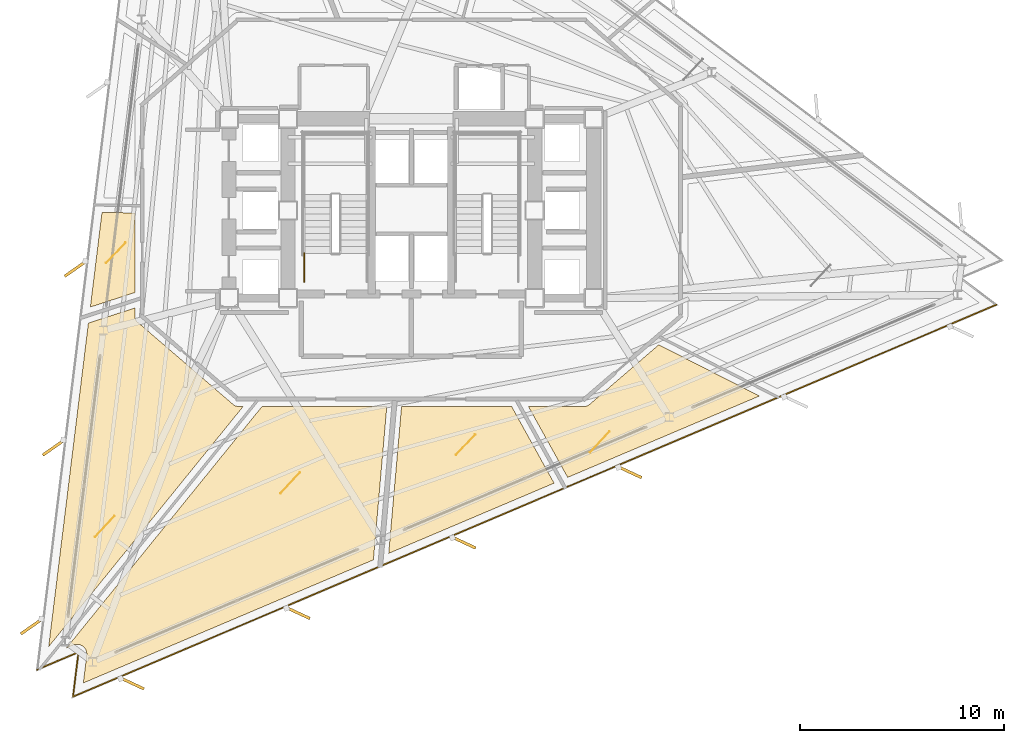
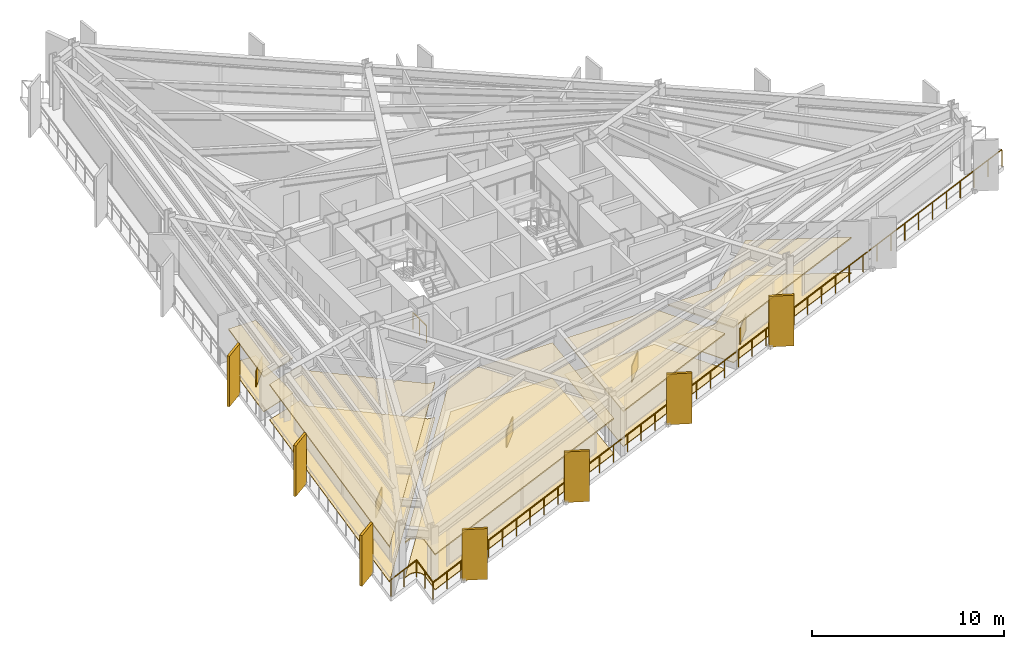
# One storey, part 9 of 13: 15 coverings, 7 shading devices, 2 railings.
"""IFC4 building model written with IfcOpenShell, lengths in metres."""

from ifc_helpers import new_model, si_unit, direction, frame, origin, origin_2d, place, context, subcontext, project, spatial, polyline, rectangle, outline, extrude, material, layer, layer_set, type_object, element, save


model = new_model("IFC4")

# Units and contexts
model_context = context("Model", 3, precision=1e-05, world=origin(), true_north=direction((0.0, 1.0)))
body_context = subcontext(model_context, "Body", "Model", "MODEL_VIEW")
ifc_project = project(units=[si_unit("LENGTHUNIT", "METRE"), si_unit("AREAUNIT", "SQUARE_METRE"), si_unit("VOLUMEUNIT", "CUBIC_METRE"), si_unit("PLANEANGLEUNIT", "RADIAN"), si_unit("MASSUNIT", "GRAM", prefix="KILO")], contexts=[model_context])

# Site, building, storey
site_placement = place(None, origin())
site = spatial("IfcSite", under=ifc_project, at=site_placement, CompositionType="ELEMENT")
building_placement = place(site_placement, origin())
building = spatial("IfcBuilding", under=site, at=building_placement, Name="Rocaltana Carrier Exchange", CompositionType="ELEMENT")
storey_placement = place(building_placement, frame((0.0, 0.0, 63.0400390625)))
storey = spatial("IfcBuildingStorey", under=building, at=storey_placement, Name="L19", CompositionType="ELEMENT", Elevation=63.0400390625)

# Coverings
ifc_material_1 = material(Name="Honed Bogota Sandstone Tile", Category="masonry")
ifc_layer_1 = layer(ifc_material_1, 0.0400390625)
ifc_layer_set_1 = layer_set([ifc_layer_1], Name="Honed Bogota Sandstone Tile")
covering_type_1 = type_object("IfcCoveringType", Name="Honed Stone Lobby Flooring 40", PredefinedType="FLOORING", material=ifc_layer_set_1)
covering_1_placement = place(storey_placement, origin())
element("IfcCovering", 1, at=covering_1_placement, inside=storey, type_object=covering_type_1, Name="L19 Client Reception Foyer Finish Floor", PredefinedType="FLOORING", context=body_context, shape_type="SweptSolid", body=[
    extrude(outline(polyline([(-15.17529296875, -0.09521484375), (-13.56005859375, -0.123291015625), (-13.56005859375, -4.02734375), (-15.745361328125, -4.737548828125), (-15.17529296875, -0.09521484375)])), origin(), (0.0, 0.0, 1.0), 0.0400390625),
])
covering_2_placement = place(storey_placement, origin())
element("IfcCovering", 2, at=covering_2_placement, inside=storey, type_object=covering_type_1, Name="L19 Staff Break Pantry Finish Floor", PredefinedType="FLOORING", context=body_context, shape_type="SweptSolid", body=[
    extrude(outline(polyline([(-17.791015625, -21.398193359375), (-15.84228515625, -5.52587890625), (-13.56005859375, -4.784423828125), (-13.56005859375, -5.199951171875), (-13.559814453125, -5.21337890625), (-13.559326171875, -5.220947265625), (-13.556884765625, -5.24755859375), (-13.5556640625, -5.255126953125), (-13.550537109375, -5.281494140625), (-13.548828125, -5.288818359375), (-13.541259765625, -5.314453125), (-13.538818359375, -5.32177734375), (-13.52880859375, -5.346435546875), (-13.525634765625, -5.353515625), (-13.51318359375, -5.377197265625), (-13.509521484375, -5.3837890625), (-13.4951171875, -5.40625), (-13.490478515625, -5.41259765625), (-13.47412109375, -5.433349609375), (-13.468994140625, -5.439208984375), (-13.450439453125, -5.45849609375), (-13.44482421875, -5.4638671875), (-13.43505859375, -5.47265625), (-8.735107421875, -9.522705078125), (-8.72412109375, -9.53173828125), (-8.717529296875, -9.53662109375), (-8.6943359375, -9.552978515625), (-8.6875, -9.557373046875), (-8.66259765625, -9.571044921875), (-8.6552734375, -9.57470703125), (-8.629150390625, -9.5859375), (-8.62158203125, -9.5888671875), (-8.594482421875, -9.597412109375), (-8.58642578125, -9.599365234375), (-8.55859375, -9.60498046875), (-8.550537109375, -9.606201171875), (-8.522216796875, -9.609130859375), (-8.51416015625, -9.609619140625), (-8.5, -9.610107421875), (-8.245361328125, -9.610107421875), (-17.791015625, -21.398193359375)])), origin(), (0.0, 0.0, 1.0), 0.0400390625),
])
covering_3_placement = place(storey_placement, origin())
element("IfcCovering", 3, at=covering_3_placement, inside=storey, type_object=covering_type_1, Name="L19 Client Reception Foyer Finish Floor", PredefinedType="FLOORING", context=body_context, shape_type="SweptSolid", body=[
    extrude(outline(polyline([(-15.923583984375, -21.822021484375), (-15.922119140625, -21.80810546875), (-15.9208984375, -21.788330078125), (-15.920166015625, -21.760498046875), (-15.920654296875, -21.740478515625), (-15.9228515625, -21.712646484375), (-15.92529296875, -21.69287109375), (-15.930419921875, -21.665283203125), (-15.934814453125, -21.64599609375), (-15.9423828125, -21.619140625), (-15.94873046875, -21.60009765625), (-15.958984375, -21.57421875), (-15.96728515625, -21.55615234375), (-15.97998046875, -21.53125), (-15.989990234375, -21.51416015625), (-16.00537109375, -21.49072265625), (-16.01708984375, -21.474609375), (-16.034423828125, -21.45263671875), (-16.047607421875, -21.437744140625), (-16.067138671875, -21.41796875), (-16.081787109375, -21.404296875), (-16.103271484375, -21.386474609375), (-16.119140625, -21.37451171875), (-16.142333984375, -21.35888671875), (-16.159423828125, -21.348388671875), (-16.183837890625, -21.335205078125), (-16.201904296875, -21.326416015625), (-16.227783203125, -21.31591796875), (-16.246337890625, -21.30908203125), (-16.273193359375, -21.30078125), (-16.29248046875, -21.2958984375), (-16.31982421875, -21.29052734375), (-16.339599609375, -21.28759765625), (-16.3671875, -21.284912109375), (-16.38720703125, -21.283935546875), (-16.415283203125, -21.283935546875), (-16.43505859375, -21.284912109375), (-16.462890625, -21.287841796875), (-16.482421875, -21.291015625), (-16.510009765625, -21.29638671875), (-16.529296875, -21.301513671875), (-16.555908203125, -21.309814453125), (-16.57470703125, -21.316650390625), (-16.587646484375, -21.32177734375), (-16.91552734375, -21.4609375), (-7.31884765625, -9.610107421875), (-1.2021484375, -9.610107421875), (-1.861083984375, -17.140380859375), (-16.09033203125, -23.180419921875), (-15.923583984375, -21.822021484375)])), origin(), (0.0, 0.0, 1.0), 0.0400390625),
])
covering_4_placement = place(storey_placement, origin())
element("IfcCovering", 4, at=covering_4_placement, inside=storey, type_object=covering_type_1, Name="L19 Cloud Architecture Office Finish Floor", PredefinedType="FLOORING", context=body_context, shape_type="SweptSolid", body=[
    extrude(outline(polyline([(-1.1103515625, -16.82177734375), (-0.4794921875, -9.610107421875), (4.915283203125, -9.610107421875), (7.003662109375, -13.377685546875), (-1.1103515625, -16.82177734375)])), origin(), (0.0, 0.0, 1.0), 0.0400390625),
])
covering_5_placement = place(storey_placement, origin())
element("IfcCovering", 5, at=covering_5_placement, inside=storey, type_object=covering_type_1, Name="L19 Peering Conference Room Finish Floor", PredefinedType="FLOORING", context=body_context, shape_type="SweptSolid", body=[
    extrude(outline(polyline([(7.670166015625, -13.0947265625), (5.738525390625, -9.610107421875), (8.5, -9.610107421875), (8.51416015625, -9.609619140625), (8.522216796875, -9.609130859375), (8.550537109375, -9.606201171875), (8.55859375, -9.60498046875), (8.58642578125, -9.599365234375), (8.594482421875, -9.597412109375), (8.62158203125, -9.5888671875), (8.629150390625, -9.5859375), (8.6552734375, -9.57470703125), (8.66259765625, -9.571044921875), (8.6875, -9.557373046875), (8.6943359375, -9.552978515625), (8.717529296875, -9.53662109375), (8.72412109375, -9.53173828125), (8.735107421875, -9.522705078125), (12.13916015625, -6.58935546875), (17.0732421875, -9.103271484375), (7.670166015625, -13.0947265625)])), origin(), (0.0, 0.0, 1.0), 0.0400390625),
])
ifc_material_2 = material(Name="Anodised Aluminium 6063-T6", Category="aluminium")
ifc_layer_2 = layer(ifc_material_2, 0.0849609375)
ifc_layer_set_2 = layer_set([ifc_layer_2], Name="Anodised Aluminium 6063-T6")
covering_type_2 = type_object("IfcCoveringType", Name="Linear Baffle Acoustic Ceiling 85", PredefinedType="CEILING", material=ifc_layer_set_2)
covering_6_placement = place(storey_placement, frame((0.0, 0.0, 2.202880859375)))
element("IfcCovering", 6, at=covering_6_placement, inside=storey, type_object=covering_type_2, Name="L19 Client Reception Foyer Acoustic Ceiling", PredefinedType="CEILING", context=body_context, shape_type="SweptSolid", body=[
    extrude(outline(polyline([(-15.17529296875, -0.09521484375), (-13.56005859375, -0.123291015625), (-13.56005859375, -4.02734375), (-15.745361328125, -4.737548828125), (-15.17529296875, -0.09521484375)])), origin(), (0.0, 0.0, 1.0), 0.0849609375),
])
covering_7_placement = place(storey_placement, frame((0.0, 0.0, 2.202880859375)))
element("IfcCovering", 7, at=covering_7_placement, inside=storey, type_object=covering_type_2, Name="L19 Staff Break Pantry Acoustic Ceiling", PredefinedType="CEILING", context=body_context, shape_type="SweptSolid", body=[
    extrude(outline(polyline([(-17.791015625, -21.398193359375), (-15.84228515625, -5.52587890625), (-13.56005859375, -4.784423828125), (-13.56005859375, -5.199951171875), (-13.559814453125, -5.21337890625), (-13.559326171875, -5.220947265625), (-13.556884765625, -5.24755859375), (-13.5556640625, -5.255126953125), (-13.550537109375, -5.281494140625), (-13.548828125, -5.288818359375), (-13.541259765625, -5.314453125), (-13.538818359375, -5.32177734375), (-13.52880859375, -5.346435546875), (-13.525634765625, -5.353515625), (-13.51318359375, -5.377197265625), (-13.509521484375, -5.3837890625), (-13.4951171875, -5.40625), (-13.490478515625, -5.41259765625), (-13.47412109375, -5.433349609375), (-13.468994140625, -5.439208984375), (-13.450439453125, -5.45849609375), (-13.44482421875, -5.4638671875), (-13.43505859375, -5.47265625), (-8.735107421875, -9.522705078125), (-8.72412109375, -9.53173828125), (-8.717529296875, -9.53662109375), (-8.6943359375, -9.552978515625), (-8.6875, -9.557373046875), (-8.66259765625, -9.571044921875), (-8.6552734375, -9.57470703125), (-8.629150390625, -9.5859375), (-8.62158203125, -9.5888671875), (-8.594482421875, -9.597412109375), (-8.58642578125, -9.599365234375), (-8.55859375, -9.60498046875), (-8.550537109375, -9.606201171875), (-8.522216796875, -9.609130859375), (-8.51416015625, -9.609619140625), (-8.5, -9.610107421875), (-8.245361328125, -9.610107421875), (-17.791015625, -21.398193359375)])), origin(), (0.0, 0.0, 1.0), 0.0849609375),
])
covering_8_placement = place(storey_placement, frame((0.0, 0.0, 2.202880859375)))
element("IfcCovering", 8, at=covering_8_placement, inside=storey, type_object=covering_type_2, Name="L19 Client Reception Foyer Acoustic Ceiling", PredefinedType="CEILING", context=body_context, shape_type="SweptSolid", body=[
    extrude(outline(polyline([(-15.923583984375, -21.822021484375), (-15.922119140625, -21.80810546875), (-15.9208984375, -21.788330078125), (-15.920166015625, -21.760498046875), (-15.920654296875, -21.740478515625), (-15.9228515625, -21.712646484375), (-15.92529296875, -21.69287109375), (-15.930419921875, -21.665283203125), (-15.934814453125, -21.64599609375), (-15.9423828125, -21.619140625), (-15.94873046875, -21.60009765625), (-15.958984375, -21.57421875), (-15.96728515625, -21.55615234375), (-15.97998046875, -21.53125), (-15.989990234375, -21.51416015625), (-16.00537109375, -21.49072265625), (-16.01708984375, -21.474609375), (-16.034423828125, -21.45263671875), (-16.047607421875, -21.437744140625), (-16.067138671875, -21.41796875), (-16.081787109375, -21.404296875), (-16.103271484375, -21.386474609375), (-16.119140625, -21.37451171875), (-16.142333984375, -21.35888671875), (-16.159423828125, -21.348388671875), (-16.183837890625, -21.335205078125), (-16.201904296875, -21.326416015625), (-16.227783203125, -21.31591796875), (-16.246337890625, -21.30908203125), (-16.273193359375, -21.30078125), (-16.29248046875, -21.2958984375), (-16.31982421875, -21.29052734375), (-16.339599609375, -21.28759765625), (-16.3671875, -21.284912109375), (-16.38720703125, -21.283935546875), (-16.415283203125, -21.283935546875), (-16.43505859375, -21.284912109375), (-16.462890625, -21.287841796875), (-16.482421875, -21.291015625), (-16.510009765625, -21.29638671875), (-16.529296875, -21.301513671875), (-16.555908203125, -21.309814453125), (-16.57470703125, -21.316650390625), (-16.587646484375, -21.32177734375), (-16.91552734375, -21.4609375), (-7.31884765625, -9.610107421875), (-1.2021484375, -9.610107421875), (-1.861083984375, -17.140380859375), (-16.09033203125, -23.180419921875), (-15.923583984375, -21.822021484375)])), origin(), (0.0, 0.0, 1.0), 0.0849609375),
])
covering_9_placement = place(storey_placement, frame((0.0, 0.0, 2.202880859375)))
element("IfcCovering", 9, at=covering_9_placement, inside=storey, type_object=covering_type_2, Name="L19 Cloud Architecture Office Acoustic Ceiling", PredefinedType="CEILING", context=body_context, shape_type="SweptSolid", body=[
    extrude(outline(polyline([(-1.1103515625, -16.82177734375), (-0.4794921875, -9.610107421875), (4.915283203125, -9.610107421875), (7.003662109375, -13.377685546875), (-1.1103515625, -16.82177734375)])), origin(), (0.0, 0.0, 1.0), 0.0849609375),
])
covering_10_placement = place(storey_placement, frame((0.0, 0.0, 2.202880859375)))
element("IfcCovering", 10, at=covering_10_placement, inside=storey, type_object=covering_type_2, Name="L19 Peering Conference Room Acoustic Ceiling", PredefinedType="CEILING", context=body_context, shape_type="SweptSolid", body=[
    extrude(outline(polyline([(7.670166015625, -13.0947265625), (5.738525390625, -9.610107421875), (8.5, -9.610107421875), (8.51416015625, -9.609619140625), (8.522216796875, -9.609130859375), (8.550537109375, -9.606201171875), (8.55859375, -9.60498046875), (8.58642578125, -9.599365234375), (8.594482421875, -9.597412109375), (8.62158203125, -9.5888671875), (8.629150390625, -9.5859375), (8.6552734375, -9.57470703125), (8.66259765625, -9.571044921875), (8.6875, -9.557373046875), (8.6943359375, -9.552978515625), (8.717529296875, -9.53662109375), (8.72412109375, -9.53173828125), (8.735107421875, -9.522705078125), (12.13916015625, -6.58935546875), (17.0732421875, -9.103271484375), (7.670166015625, -13.0947265625)])), origin(), (0.0, 0.0, 1.0), 0.0849609375),
])

# Railing
ifc_material_3 = material(Name="Powder-Coated Aluminium 6063-T6", Category="aluminium")
ifc_layer_3 = layer(ifc_material_3, 0.048095703125)
ifc_layer_set_3 = layer_set([ifc_layer_3], Name="Powder-Coated Aluminium 6063-T6")
railing_type_1 = type_object("IfcRailingType", Name="Stair Well Guardrail 1100", PredefinedType="GUARDRAIL", material=ifc_layer_set_3)
railing_1_placement = place(storey_placement, frame((-5.25, -3.5, 0.0)))
element("IfcRailing", 11, at=railing_1_placement, inside=storey, type_object=railing_type_1, Name="L19 ST-1 stair guard 9", PredefinedType="GUARDRAIL", context=body_context, shape_type="SweptSolid", body=[
    extrude(rectangle(XDim=0.048095703125, YDim=0.048095703125, at=origin_2d()), frame((0.0, 0.0, 1.076171875), z_axis=(0.0, 1.0, 0.0), x_axis=(-1.0, 0.0, 0.0)), (0.0, 0.0, 1.0), 1.39990234375),
    extrude(rectangle(XDim=0.0419921875, YDim=0.0419921875, at=origin_2d()), origin(), (0.0, 0.0, 1.0), 1.052001953125),
    extrude(rectangle(XDim=0.0419921875, YDim=0.0419921875, at=origin_2d()), frame((0.0, 0.699951171875, 0.0)), (0.0, 0.0, 1.0), 1.052001953125),
    extrude(rectangle(XDim=0.0419921875, YDim=0.0419921875, at=origin_2d()), frame((0.0, 1.39990234375, 0.0)), (0.0, 0.0, 1.0), 1.052001953125),
])

# Coverings
ifc_material_4 = material(Name="Honed Piedra Muneca Sandstone", Category="masonry")
ifc_layer_4 = layer(ifc_material_4, 0.034912109375)
ifc_layer_set_4 = layer_set([ifc_layer_4], Name="Honed Piedra Muneca Sandstone")
covering_type_3 = type_object("IfcCoveringType", Name="Stone Facade Cladding 35", PredefinedType="CLADDING", material=ifc_layer_set_4)
for number, where, z_axis, x_axis, name in (
    (12, (-14.4892578125, -2.075439453125, 0.0), (0.0, 0.0, 1.0), (0.681998360062, 0.731353701619, 0.0), "L19 Stone Facade Cladding Panel 1"),
    (13, (-15.042724609375, -15.504150390625, 0.0), (0.0, 0.0, 1.0), (0.681998360062, 0.731353701619, 0.0), "L19 Stone Facade Cladding Panel 2"),
    (14, (-5.94970703125, -13.375244140625, 0.0), (0.0, 0.0, 1.0), (0.681998360062, 0.731353701619, 0.0), "L19 Stone Facade Cladding Panel 3"),
    (15, (2.65771484375, -11.493896484375, 0.0), (0.0, 0.0, 1.0), (0.681998360062, 0.731353701619, 0.0), "L19 Stone Facade Cladding Panel 4"),
    (16, (9.239501953125, -11.352294921875, 0.0), (0.0, 0.0, 1.0), (0.681998360062, 0.731353701619, 0.0), "L19 Stone Facade Cladding Panel 5"),
):
    element("IfcCovering", number, at=place(storey_placement, frame(where, z_axis=z_axis, x_axis=x_axis)), inside=storey, type_object=covering_type_3, Name=name, PredefinedType="CLADDING", context=body_context, shape_type="SweptSolid", body=[
        extrude(rectangle(XDim=1.39990234375, YDim=0.034912109375, at=origin_2d()), origin(), (0.0, 0.0, 1.0), 1.050048828125),
    ])

# Shading devices
ifc_material_5 = material(Name="Honed Bogota Sandstone & Concrete C45/55", Category="masonry")
ifc_layer_5 = layer(ifc_material_5, 0.139892578125)
ifc_layer_set_5 = layer_set([ifc_layer_5], Name="Honed Bogota Sandstone & Concrete C45/55")
shading_device_type = type_object("IfcShadingDeviceType", Name="Vertical Sandstone Shading Fin 1320x140", PredefinedType="USERDEFINED", material=ifc_layer_set_5)
for number, where, z_axis, x_axis, name in (
    (17, (-16.46142578125, -2.85009765625, -0.1201171875), (0.0, 0.0, 1.0), (-0.819152044289, -0.573576436351, 0.0), "L19 Sandstone Vertical Fin F2-04"),
    (18, (-17.538818359375, -11.6240234375, -0.1201171875), (0.0, 0.0, 1.0), (-0.819152044289, -0.573576436351, 0.0), "L19 Sandstone Vertical Fin F2-05"),
    (19, (-18.6162109375, -20.398193359375, -0.1201171875), (0.0, 0.0, 1.0), (-0.819152044289, -0.573576436351, 0.0), "L19 Sandstone Vertical Fin F2-06"),
    (20, (-13.712890625, -23.193359375, -0.1201171875), (0.0, 0.0, 1.0), (0.906307787037, -0.422618261741, 0.0), "L19 Sandstone Vertical Fin F3-01"),
    (21, (-5.57568359375, -19.7392578125, -0.1201171875), (0.0, 0.0, 1.0), (0.906307787037, -0.422618261741, 0.0), "L19 Sandstone Vertical Fin F3-02"),
    (22, (2.5615234375, -16.28515625, -0.1201171875), (0.0, 0.0, 1.0), (0.906307787037, -0.422618261741, 0.0), "L19 Sandstone Vertical Fin F3-03"),
    (23, (10.698974609375, -12.8310546875, -0.1201171875), (0.0, 0.0, 1.0), (0.906307787037, -0.422618261741, 0.0), "L19 Sandstone Vertical Fin F3-04"),
):
    element("IfcShadingDevice", number, at=place(storey_placement, frame(where, z_axis=z_axis, x_axis=x_axis)), inside=storey, type_object=shading_device_type, Name=name, ObjectType="FIN", PredefinedType="USERDEFINED", context=body_context, shape_type="SweptSolid", body=[
        extrude(rectangle(XDim=1.320068359375, YDim=0.139892578125, at=origin_2d()), origin(), (0.0, 0.0, 1.0), 3.218017578125),
    ])

# Railing
ifc_material_6 = material(Name="Powder-Coated Aluminium 6063-T6", Category="aluminium")
ifc_layer_6 = layer(ifc_material_6, 0.06005859375)
ifc_layer_set_6 = layer_set([ifc_layer_6], Name="Powder-Coated Aluminium 6063-T6")
railing_type_2 = type_object("IfcRailingType", Name="Wind-Floor & Terrace Perimeter Guardrail 1100", PredefinedType="GUARDRAIL", material=ifc_layer_set_6)
railing_2_placement = place(storey_placement, frame((28.685791015625, -4.63037109375, 0.0)))
element("IfcRailing", 24, at=railing_2_placement, inside=storey, type_object=railing_type_2, Name="L19 Perimeter Balcony Guardrail 1", PredefinedType="GUARDRAIL", context=body_context, shape_type="SweptSolid", body=[
    extrude(rectangle(XDim=0.048095703125, YDim=0.048095703125, at=origin_2d()), frame((0.0, 0.0, 1.076171875), z_axis=(-0.920504928534, -0.390730951608, 0.0), x_axis=(0.390730951608, -0.920504928534, 0.0)), (0.0, 0.0, 1.0), 49.1923828125),
    extrude(rectangle(XDim=0.048095703125, YDim=0.048095703125, at=origin_2d()), frame((-45.28173828125, -19.220947265625, 1.076171875), z_axis=(0.121849105842, 0.992548636292, 0.0), x_axis=(-0.992548636292, 0.121849105842, 0.0)), (0.0, 0.0, 1.0), 2.199951171875),
    extrude(rectangle(XDim=0.048095703125, YDim=0.048095703125, at=origin_2d()), frame((-45.013671875, -17.037353515625, 1.076171875), z_axis=(-0.920488651352, -0.390769296046, 0.0), x_axis=(0.390769296046, -0.920488651352, 0.0)), (0.0, 0.0, 1.0), 2.19970703125),
    extrude(rectangle(XDim=0.0419921875, YDim=0.0419921875, at=origin_2d()), origin(), (0.0, 0.0, 1.0), 1.052001953125),
    extrude(rectangle(XDim=0.0419921875, YDim=0.0419921875, at=origin_2d()), frame((-1.1044921875, -0.46875, 0.0)), (0.0, 0.0, 1.0), 1.052001953125),
    extrude(rectangle(XDim=0.0419921875, YDim=0.0419921875, at=origin_2d()), frame((-2.208984375, -0.9375, 0.0)), (0.0, 0.0, 1.0), 1.052001953125),
    extrude(rectangle(XDim=0.0419921875, YDim=0.0419921875, at=origin_2d()), frame((-3.313232421875, -1.406494140625, 0.0)), (0.0, 0.0, 1.0), 1.052001953125),
    extrude(rectangle(XDim=0.0419921875, YDim=0.0419921875, at=origin_2d()), frame((-4.417724609375, -1.875244140625, 0.0)), (0.0, 0.0, 1.0), 1.052001953125),
    extrude(rectangle(XDim=0.0419921875, YDim=0.0419921875, at=origin_2d()), frame((-5.522216796875, -2.343994140625, 0.0)), (0.0, 0.0, 1.0), 1.052001953125),
    extrude(rectangle(XDim=0.0419921875, YDim=0.0419921875, at=origin_2d()), frame((-6.626708984375, -2.812744140625, 0.0)), (0.0, 0.0, 1.0), 1.052001953125),
    extrude(rectangle(XDim=0.0419921875, YDim=0.0419921875, at=origin_2d()), frame((-7.73095703125, -3.28173828125, 0.0)), (0.0, 0.0, 1.0), 1.052001953125),
    extrude(rectangle(XDim=0.0419921875, YDim=0.0419921875, at=origin_2d()), frame((-8.83544921875, -3.75048828125, 0.0)), (0.0, 0.0, 1.0), 1.052001953125),
    extrude(rectangle(XDim=0.0419921875, YDim=0.0419921875, at=origin_2d()), frame((-9.93994140625, -4.21923828125, 0.0)), (0.0, 0.0, 1.0), 1.052001953125),
    extrude(rectangle(XDim=0.0419921875, YDim=0.0419921875, at=origin_2d()), frame((-11.04443359375, -4.68798828125, 0.0)), (0.0, 0.0, 1.0), 1.052001953125),
    extrude(rectangle(XDim=0.0419921875, YDim=0.0419921875, at=origin_2d()), frame((-12.148681640625, -5.15673828125, 0.0)), (0.0, 0.0, 1.0), 1.052001953125),
    extrude(rectangle(XDim=0.0419921875, YDim=0.0419921875, at=origin_2d()), frame((-13.253173828125, -5.625732421875, 0.0)), (0.0, 0.0, 1.0), 1.052001953125),
    extrude(rectangle(XDim=0.0419921875, YDim=0.0419921875, at=origin_2d()), frame((-14.357666015625, -6.094482421875, 0.0)), (0.0, 0.0, 1.0), 1.052001953125),
    extrude(rectangle(XDim=0.0419921875, YDim=0.0419921875, at=origin_2d()), frame((-15.462158203125, -6.563232421875, 0.0)), (0.0, 0.0, 1.0), 1.052001953125),
    extrude(rectangle(XDim=0.0419921875, YDim=0.0419921875, at=origin_2d()), frame((-16.56640625, -7.031982421875, 0.0)), (0.0, 0.0, 1.0), 1.052001953125),
    extrude(rectangle(XDim=0.0419921875, YDim=0.0419921875, at=origin_2d()), frame((-17.6708984375, -7.5009765625, 0.0)), (0.0, 0.0, 1.0), 1.052001953125),
    extrude(rectangle(XDim=0.0419921875, YDim=0.0419921875, at=origin_2d()), frame((-18.775390625, -7.9697265625, 0.0)), (0.0, 0.0, 1.0), 1.052001953125),
    extrude(rectangle(XDim=0.0419921875, YDim=0.0419921875, at=origin_2d()), frame((-19.8798828125, -8.4384765625, 0.0)), (0.0, 0.0, 1.0), 1.052001953125),
    extrude(rectangle(XDim=0.0419921875, YDim=0.0419921875, at=origin_2d()), frame((-20.984130859375, -8.9072265625, 0.0)), (0.0, 0.0, 1.0), 1.052001953125),
    extrude(rectangle(XDim=0.0419921875, YDim=0.0419921875, at=origin_2d()), frame((-22.088623046875, -9.3759765625, 0.0)), (0.0, 0.0, 1.0), 1.052001953125),
    extrude(rectangle(XDim=0.0419921875, YDim=0.0419921875, at=origin_2d()), frame((-23.193115234375, -9.844970703125, 0.0)), (0.0, 0.0, 1.0), 1.052001953125),
    extrude(rectangle(XDim=0.0419921875, YDim=0.0419921875, at=origin_2d()), frame((-24.297607421875, -10.313720703125, 0.0)), (0.0, 0.0, 1.0), 1.052001953125),
    extrude(rectangle(XDim=0.0419921875, YDim=0.0419921875, at=origin_2d()), frame((-25.40185546875, -10.782470703125, 0.0)), (0.0, 0.0, 1.0), 1.052001953125),
    extrude(rectangle(XDim=0.0419921875, YDim=0.0419921875, at=origin_2d()), frame((-26.50634765625, -11.251220703125, 0.0)), (0.0, 0.0, 1.0), 1.052001953125),
    extrude(rectangle(XDim=0.0419921875, YDim=0.0419921875, at=origin_2d()), frame((-27.61083984375, -11.719970703125, 0.0)), (0.0, 0.0, 1.0), 1.052001953125),
    extrude(rectangle(XDim=0.0419921875, YDim=0.0419921875, at=origin_2d()), frame((-28.71533203125, -12.18896484375, 0.0)), (0.0, 0.0, 1.0), 1.052001953125),
    extrude(rectangle(XDim=0.0419921875, YDim=0.0419921875, at=origin_2d()), frame((-29.819580078125, -12.65771484375, 0.0)), (0.0, 0.0, 1.0), 1.052001953125),
    extrude(rectangle(XDim=0.0419921875, YDim=0.0419921875, at=origin_2d()), frame((-30.924072265625, -13.12646484375, 0.0)), (0.0, 0.0, 1.0), 1.052001953125),
    extrude(rectangle(XDim=0.0419921875, YDim=0.0419921875, at=origin_2d()), frame((-32.028564453125, -13.59521484375, 0.0)), (0.0, 0.0, 1.0), 1.052001953125),
    extrude(rectangle(XDim=0.0419921875, YDim=0.0419921875, at=origin_2d()), frame((-33.133056640625, -14.064208984375, 0.0)), (0.0, 0.0, 1.0), 1.052001953125),
    extrude(rectangle(XDim=0.0419921875, YDim=0.0419921875, at=origin_2d()), frame((-34.2373046875, -14.532958984375, 0.0)), (0.0, 0.0, 1.0), 1.052001953125),
    extrude(rectangle(XDim=0.0419921875, YDim=0.0419921875, at=origin_2d()), frame((-35.341796875, -15.001708984375, 0.0)), (0.0, 0.0, 1.0), 1.052001953125),
    extrude(rectangle(XDim=0.0419921875, YDim=0.0419921875, at=origin_2d()), frame((-36.4462890625, -15.470458984375, 0.0)), (0.0, 0.0, 1.0), 1.052001953125),
    extrude(rectangle(XDim=0.0419921875, YDim=0.0419921875, at=origin_2d()), frame((-37.55078125, -15.939208984375, 0.0)), (0.0, 0.0, 1.0), 1.052001953125),
    extrude(rectangle(XDim=0.0419921875, YDim=0.0419921875, at=origin_2d()), frame((-38.655029296875, -16.408203125, 0.0)), (0.0, 0.0, 1.0), 1.052001953125),
    extrude(rectangle(XDim=0.0419921875, YDim=0.0419921875, at=origin_2d()), frame((-39.759521484375, -16.876953125, 0.0)), (0.0, 0.0, 1.0), 1.052001953125),
    extrude(rectangle(XDim=0.0419921875, YDim=0.0419921875, at=origin_2d()), frame((-40.864013671875, -17.345703125, 0.0)), (0.0, 0.0, 1.0), 1.052001953125),
    extrude(rectangle(XDim=0.0419921875, YDim=0.0419921875, at=origin_2d()), frame((-41.968505859375, -17.814453125, 0.0)), (0.0, 0.0, 1.0), 1.052001953125),
    extrude(rectangle(XDim=0.0419921875, YDim=0.0419921875, at=origin_2d()), frame((-43.07275390625, -18.283447265625, 0.0)), (0.0, 0.0, 1.0), 1.052001953125),
    extrude(rectangle(XDim=0.0419921875, YDim=0.0419921875, at=origin_2d()), frame((-44.17724609375, -18.752197265625, 0.0)), (0.0, 0.0, 1.0), 1.052001953125),
    extrude(rectangle(XDim=0.0419921875, YDim=0.0419921875, at=origin_2d()), frame((-45.28173828125, -19.220947265625, 0.0)), (0.0, 0.0, 1.0), 1.052001953125),
    extrude(rectangle(XDim=0.0419921875, YDim=0.0419921875, at=origin_2d()), frame((-45.147705078125, -18.129150390625, 0.0)), (0.0, 0.0, 1.0), 1.052001953125),
    extrude(rectangle(XDim=0.0419921875, YDim=0.0419921875, at=origin_2d()), frame((-45.013671875, -17.037353515625, 0.0)), (0.0, 0.0, 1.0), 1.052001953125),
    extrude(rectangle(XDim=0.0419921875, YDim=0.0419921875, at=origin_2d()), frame((-46.026123046875, -17.46728515625, 0.0)), (0.0, 0.0, 1.0), 1.052001953125),
    extrude(rectangle(XDim=0.0419921875, YDim=0.0419921875, at=origin_2d()), frame((-47.03857421875, -17.89697265625, 0.0)), (0.0, 0.0, 1.0), 1.052001953125),
])

save(model, "model.ifc")
